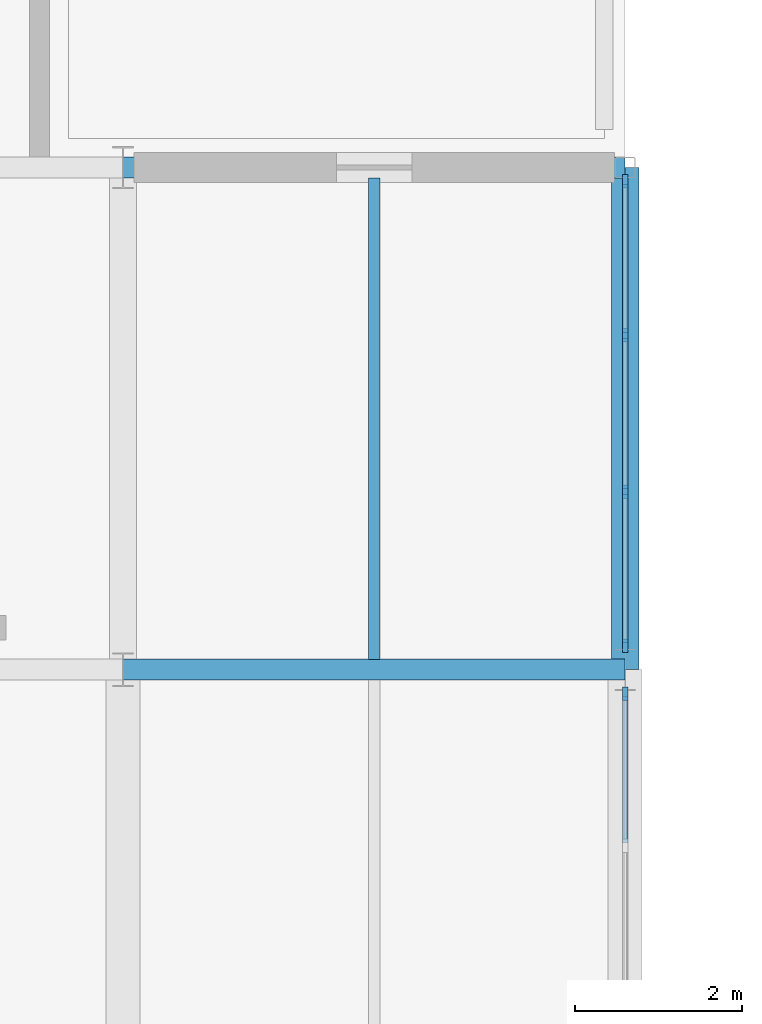
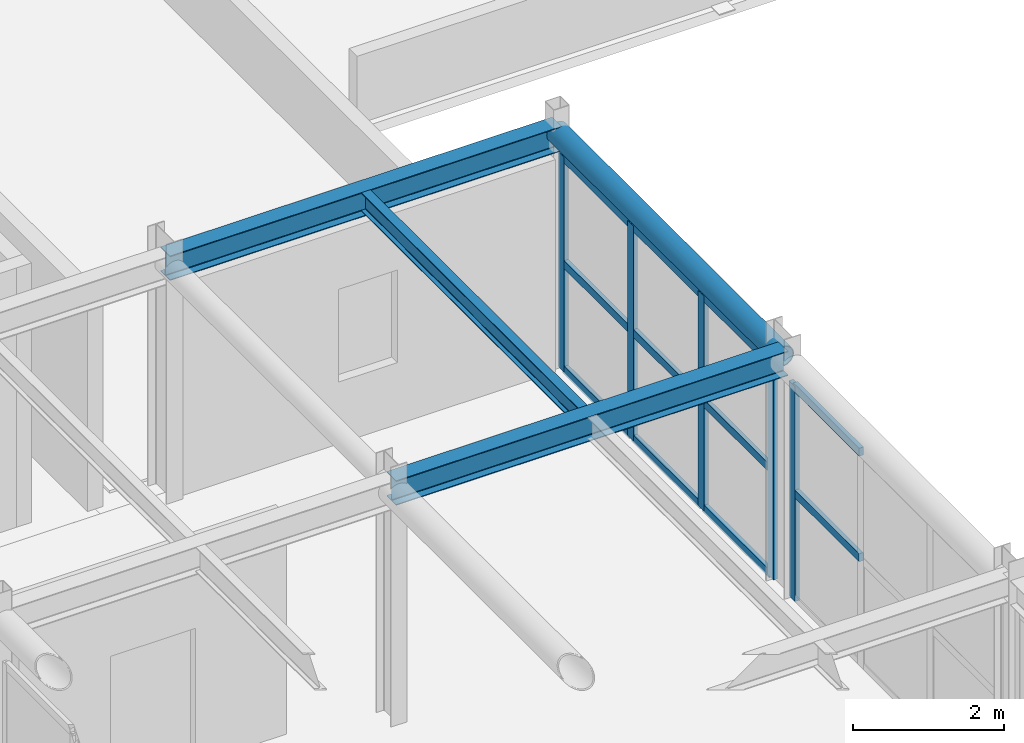
# One storey, part 17 of 83: 16 members, 4 beams, 2 elements without a shape of their own.
"""IFC4 building model written with IfcOpenShell, lengths in metres."""

from ifc_helpers import new_model, si_unit, direction, frame, origin, origin_2d, place, context, subcontext, project, spatial, rectangle, hollow_circle, i_section, extrude, material, material_profile, profile_set, type_object, element, aggregate, save


model = new_model("IFC4")

# Units and contexts
model_context = context("Model", 3, precision=1e-05, world=origin(), true_north=direction((0.0, 1.0)))
body_context = subcontext(model_context, "Body", "Model", "MODEL_VIEW")
ifc_project = project(units=[si_unit("LENGTHUNIT", "METRE"), si_unit("AREAUNIT", "SQUARE_METRE"), si_unit("VOLUMEUNIT", "CUBIC_METRE"), si_unit("PLANEANGLEUNIT", "RADIAN"), si_unit("MASSUNIT", "GRAM", prefix="KILO")], contexts=[model_context])

# Site, building, storey
site_placement = place(None, origin())
site = spatial("IfcSite", under=ifc_project, at=site_placement, CompositionType="ELEMENT")
building_placement = place(site_placement, origin())
building = spatial("IfcBuilding", under=site, at=building_placement, Name="Varnakota Square Police Headquarters", CompositionType="ELEMENT")
storey_placement = place(building_placement, frame((0.0, 0.0, 18.0)))
storey = spatial("IfcBuildingStorey", under=building, at=storey_placement, Name="L04", CompositionType="ELEMENT", Elevation=18.0)

# Beams
ifc_material_1 = material(Name="Steel IS 2062 Grade 350", Category="steel")
ifc_material_profile_1 = material_profile(ifc_material_1, hollow_circle(Radius=0.161865234375, WallThickness=0.0126953125, at=origin_2d()), Name="CHS 323.9x12.7")
ifc_profile_set_1 = profile_set([ifc_material_profile_1], Name="Steel IS 2062 Grade 350")
beam_type_1 = type_object("IfcBeamType", Name="BM-ARC-CHS324", PredefinedType="BEAM", material=ifc_profile_set_1)
beam_1_placement = place(storey_placement, frame((42.0, 57.0, 3.738037109375), z_axis=(0.0, 1.0, 0.0), x_axis=(-1.0, 0.0, 0.0)))
element("IfcBeam", 1, at=beam_1_placement, inside=storey, type_object=beam_type_1, Name="BMG-L04-2975", PredefinedType="BEAM", context=body_context, shape_type="SweptSolid", body=[
    extrude(hollow_circle(Radius=0.161865234375, WallThickness=0.0126953125, at=origin_2d()), origin(), (0.0, 0.0, 1.0), 6.0),
])
ifc_material_profile_2 = material_profile(ifc_material_1, i_section(OverallWidth=0.25, OverallDepth=0.39990234375, WebThickness=0.010498046875, FlangeThickness=0.0126953125, FilletRadius=0.013916015625, at=origin_2d()), Name="ISHB 400")
ifc_profile_set_2 = profile_set([ifc_material_profile_2], Name="Steel IS 2062 Grade 350")
beam_type_2 = type_object("IfcBeamType", Name="BM-ISHB400", PredefinedType="BEAM", material=ifc_profile_set_2)
for number, where, z_axis, x_axis, name in (
    (2, (36.0, 57.0, 3.699951171875), (1.0, 0.0, 0.0), (0.0, 1.0, 0.0), "BMG-L04-2923"),
    (3, (36.0, 63.0, 3.699951171875), (1.0, 0.0, 0.0), (0.0, 1.0, 0.0), "BMG-L04-2929"),
):
    element("IfcBeam", number, at=place(storey_placement, frame(where, z_axis=z_axis, x_axis=x_axis)), inside=storey, type_object=beam_type_2, Name=name, PredefinedType="BEAM", context=body_context, shape_type="SweptSolid", body=[
        extrude(i_section(OverallWidth=0.25, OverallDepth=0.39990234375, WebThickness=0.010498046875, FlangeThickness=0.0126953125, FilletRadius=0.013916015625, at=origin_2d()), origin(), (0.0, 0.0, 1.0), 6.0),
    ])
ifc_material_profile_3 = material_profile(ifc_material_1, i_section(OverallWidth=0.139892578125, OverallDepth=0.300048828125, WebThickness=0.0078125, FlangeThickness=0.01318359375, FilletRadius=0.013916015625, at=origin_2d()), Name="ISMB 300")
ifc_profile_set_3 = profile_set([ifc_material_profile_3], Name="Steel IS 2062 Grade 350")
beam_type_3 = type_object("IfcBeamType", Name="BM-ISMB300", PredefinedType="JOIST", material=ifc_profile_set_3)
beam_2_placement = place(storey_placement, frame((39.0, 57.123046875, 3.75), z_axis=(0.0, 1.0, 0.0), x_axis=(-1.0, 0.0, 0.0)))
element("IfcBeam", 4, at=beam_2_placement, inside=storey, type_object=beam_type_3, Name="BMG-L04-3054", PredefinedType="JOIST", context=body_context, shape_type="SweptSolid", body=[
    extrude(i_section(OverallWidth=0.139892578125, OverallDepth=0.300048828125, WebThickness=0.0078125, FlangeThickness=0.01318359375, FilletRadius=0.013916015625, at=origin_2d()), origin(), (0.0, 0.0, 1.0), 5.75390625),
])

# Curtain wall, member
ifc_material_2 = material(Name="Anodised Aluminium Framing", Category="aluminium")
curtain_wall_type = type_object("IfcCurtainWallType", Name="CW-SYS-D", PredefinedType="NOTDEFINED", material=ifc_material_2)
curtain_wall_1_placement = place(storey_placement, origin())
curtain_wall_1 = element("IfcCurtainWall", 5, at=curtain_wall_1_placement, inside=storey, type_object=curtain_wall_type, Name="Unitised curtain wall CWG-L04-184", PredefinedType="NOTDEFINED")
ifc_material_3 = material(Name="Anodised Aluminium 6063-T6", Category="aluminium")
ifc_material_profile_4 = material_profile(ifc_material_3, rectangle(XDim=0.06494140625, YDim=0.159912109375, at=origin_2d()), Name="ALU MULLION 65x160")
ifc_profile_set_4 = profile_set([ifc_material_profile_4], Name="Anodised Aluminium 6063-T6")
member_type_1 = type_object("IfcMemberType", Name="CWM-150", PredefinedType="MULLION", material=ifc_profile_set_4)
member_1_placement = place(storey_placement, frame((42.0, 56.71240234375, 0.0), z_axis=(0.0, 0.0, 1.0), x_axis=(-1.0, 0.0, 0.0)))
member_1 = element("IfcMember", 6, at=member_1_placement, type_object=member_type_1, Name="CWG-L04-184 mullion 4", PredefinedType="MULLION", context=body_context, shape_type="SweptSolid", body=[
    extrude(rectangle(XDim=0.06494140625, YDim=0.159912109375, at=origin_2d()), origin(), (0.0, 0.0, 1.0), 3.483642578125),
])

# Curtain wall, members
curtain_wall_2_placement = place(storey_placement, origin())
curtain_wall_2 = element("IfcCurtainWall", 7, at=curtain_wall_2_placement, inside=storey, type_object=curtain_wall_type, Name="Unitised curtain wall CWG-L04-185", PredefinedType="NOTDEFINED")
member_2_placement = place(storey_placement, frame((42.0, 57.28759765625, 0.0), z_axis=(0.0, 0.0, 1.0), x_axis=(-1.0, 0.0, 0.0)))
member_2 = element("IfcMember", 8, at=member_2_placement, type_object=member_type_1, Name="CWG-L04-185 mullion 1", PredefinedType="MULLION", context=body_context, shape_type="SweptSolid", body=[
    extrude(rectangle(XDim=0.06494140625, YDim=0.159912109375, at=origin_2d()), origin(), (0.0, 0.0, 1.0), 3.483642578125),
])
member_3_placement = place(storey_placement, frame((42.0, 59.126708984375, 0.0), z_axis=(0.0, 0.0, 1.0), x_axis=(-1.0, 0.0, 0.0)))
member_3 = element("IfcMember", 9, at=member_3_placement, type_object=member_type_1, Name="CWG-L04-185 mullion 2", PredefinedType="MULLION", context=body_context, shape_type="SweptSolid", body=[
    extrude(rectangle(XDim=0.06494140625, YDim=0.159912109375, at=origin_2d()), origin(), (0.0, 0.0, 1.0), 3.483642578125),
])
member_4_placement = place(storey_placement, frame((42.0, 60.998291015625, 0.0), z_axis=(0.0, 0.0, 1.0), x_axis=(-1.0, 0.0, 0.0)))
member_4 = element("IfcMember", 10, at=member_4_placement, type_object=member_type_1, Name="CWG-L04-185 mullion 3", PredefinedType="MULLION", context=body_context, shape_type="SweptSolid", body=[
    extrude(rectangle(XDim=0.06494140625, YDim=0.159912109375, at=origin_2d()), origin(), (0.0, 0.0, 1.0), 3.483642578125),
])
member_5_placement = place(storey_placement, frame((42.0, 62.83740234375, 0.0), z_axis=(0.0, 0.0, 1.0), x_axis=(-1.0, 0.0, 0.0)))
member_5 = element("IfcMember", 11, at=member_5_placement, type_object=member_type_1, Name="CWG-L04-185 mullion 4", PredefinedType="MULLION", context=body_context, shape_type="SweptSolid", body=[
    extrude(rectangle(XDim=0.06494140625, YDim=0.159912109375, at=origin_2d()), origin(), (0.0, 0.0, 1.0), 3.483642578125),
])

# Member
ifc_material_profile_5 = material_profile(ifc_material_3, rectangle(XDim=0.06494140625, YDim=0.1298828125, at=origin_2d()), Name="ALU TRANSOM 65x130")
ifc_profile_set_5 = profile_set([ifc_material_profile_5], Name="Anodised Aluminium 6063-T6")
member_type_2 = type_object("IfcMemberType", Name="CWT-120", PredefinedType="USERDEFINED", material=ifc_profile_set_5)
member_6_placement = place(storey_placement, frame((42.0, 54.930908203125, 1.74169921875), z_axis=(0.0, 1.0, 0.0), x_axis=(-1.0, 0.0, 0.0)))
member_6 = element("IfcMember", 12, at=member_6_placement, type_object=member_type_2, Name="CWG-L04-184 transom 3.2", ObjectType="TRANSOM", PredefinedType="USERDEFINED", context=body_context, shape_type="SweptSolid", body=[
    extrude(rectangle(XDim=0.06494140625, YDim=0.1298828125, at=origin_2d()), origin(), (0.0, 0.0, 1.0), 1.7490234375),
])

member_7_placement = place(storey_placement, frame((42.0, 54.930908203125, 3.451171875), z_axis=(0.0, 1.0, 0.0), x_axis=(-1.0, 0.0, 0.0)))
member_7 = element("IfcMember", 13, at=member_7_placement, type_object=member_type_2, Name="CWG-L04-184 transom 3.3", ObjectType="TRANSOM", PredefinedType="USERDEFINED", context=body_context, shape_type="SweptSolid", body=[
    extrude(rectangle(XDim=0.06494140625, YDim=0.1298828125, at=origin_2d()), origin(), (0.0, 0.0, 1.0), 1.7490234375),
])

aggregate(curtain_wall_1, [member_1, member_6, member_7])

member_8_placement = place(storey_placement, frame((42.0, 57.320068359375, 0.032470703125), z_axis=(0.0, 1.0, 0.0), x_axis=(-1.0, 0.0, 0.0)))
member_8 = element("IfcMember", 14, at=member_8_placement, type_object=member_type_2, Name="CWG-L04-185 transom 1.1", ObjectType="TRANSOM", PredefinedType="USERDEFINED", context=body_context, shape_type="SweptSolid", body=[
    extrude(rectangle(XDim=0.06494140625, YDim=0.1298828125, at=origin_2d()), origin(), (0.0, 0.0, 1.0), 1.774169921875),
])

member_9_placement = place(storey_placement, frame((42.0, 57.320068359375, 1.74169921875), z_axis=(0.0, 1.0, 0.0), x_axis=(-1.0, 0.0, 0.0)))
member_9 = element("IfcMember", 15, at=member_9_placement, type_object=member_type_2, Name="CWG-L04-185 transom 1.2", ObjectType="TRANSOM", PredefinedType="USERDEFINED", context=body_context, shape_type="SweptSolid", body=[
    extrude(rectangle(XDim=0.06494140625, YDim=0.1298828125, at=origin_2d()), origin(), (0.0, 0.0, 1.0), 1.774169921875),
])

member_10_placement = place(storey_placement, frame((42.0, 57.320068359375, 3.451171875), z_axis=(0.0, 1.0, 0.0), x_axis=(-1.0, 0.0, 0.0)))
member_10 = element("IfcMember", 16, at=member_10_placement, type_object=member_type_2, Name="CWG-L04-185 transom 1.3", ObjectType="TRANSOM", PredefinedType="USERDEFINED", context=body_context, shape_type="SweptSolid", body=[
    extrude(rectangle(XDim=0.06494140625, YDim=0.1298828125, at=origin_2d()), origin(), (0.0, 0.0, 1.0), 1.774169921875),
])

member_11_placement = place(storey_placement, frame((42.0, 59.1591796875, 0.032470703125), z_axis=(0.0, 1.0, 0.0), x_axis=(-1.0, 0.0, 0.0)))
member_11 = element("IfcMember", 17, at=member_11_placement, type_object=member_type_2, Name="CWG-L04-185 transom 2.1", ObjectType="TRANSOM", PredefinedType="USERDEFINED", context=body_context, shape_type="SweptSolid", body=[
    extrude(rectangle(XDim=0.06494140625, YDim=0.1298828125, at=origin_2d()), origin(), (0.0, 0.0, 1.0), 1.806640625),
])

member_12_placement = place(storey_placement, frame((42.0, 59.1591796875, 1.74169921875), z_axis=(0.0, 1.0, 0.0), x_axis=(-1.0, 0.0, 0.0)))
member_12 = element("IfcMember", 18, at=member_12_placement, type_object=member_type_2, Name="CWG-L04-185 transom 2.2", ObjectType="TRANSOM", PredefinedType="USERDEFINED", context=body_context, shape_type="SweptSolid", body=[
    extrude(rectangle(XDim=0.06494140625, YDim=0.1298828125, at=origin_2d()), origin(), (0.0, 0.0, 1.0), 1.806640625),
])

member_13_placement = place(storey_placement, frame((42.0, 59.1591796875, 3.451171875), z_axis=(0.0, 1.0, 0.0), x_axis=(-1.0, 0.0, 0.0)))
member_13 = element("IfcMember", 19, at=member_13_placement, type_object=member_type_2, Name="CWG-L04-185 transom 2.3", ObjectType="TRANSOM", PredefinedType="USERDEFINED", context=body_context, shape_type="SweptSolid", body=[
    extrude(rectangle(XDim=0.06494140625, YDim=0.1298828125, at=origin_2d()), origin(), (0.0, 0.0, 1.0), 1.806640625),
])

member_14_placement = place(storey_placement, frame((42.0, 61.03076171875, 0.032470703125), z_axis=(0.0, 1.0, 0.0), x_axis=(-1.0, 0.0, 0.0)))
member_14 = element("IfcMember", 20, at=member_14_placement, type_object=member_type_2, Name="CWG-L04-185 transom 3.1", ObjectType="TRANSOM", PredefinedType="USERDEFINED", context=body_context, shape_type="SweptSolid", body=[
    extrude(rectangle(XDim=0.06494140625, YDim=0.1298828125, at=origin_2d()), origin(), (0.0, 0.0, 1.0), 1.774169921875),
])

member_15_placement = place(storey_placement, frame((42.0, 61.03076171875, 1.74169921875), z_axis=(0.0, 1.0, 0.0), x_axis=(-1.0, 0.0, 0.0)))
member_15 = element("IfcMember", 21, at=member_15_placement, type_object=member_type_2, Name="CWG-L04-185 transom 3.2", ObjectType="TRANSOM", PredefinedType="USERDEFINED", context=body_context, shape_type="SweptSolid", body=[
    extrude(rectangle(XDim=0.06494140625, YDim=0.1298828125, at=origin_2d()), origin(), (0.0, 0.0, 1.0), 1.774169921875),
])

member_16_placement = place(storey_placement, frame((42.0, 61.03076171875, 3.451171875), z_axis=(0.0, 1.0, 0.0), x_axis=(-1.0, 0.0, 0.0)))
member_16 = element("IfcMember", 22, at=member_16_placement, type_object=member_type_2, Name="CWG-L04-185 transom 3.3", ObjectType="TRANSOM", PredefinedType="USERDEFINED", context=body_context, shape_type="SweptSolid", body=[
    extrude(rectangle(XDim=0.06494140625, YDim=0.1298828125, at=origin_2d()), origin(), (0.0, 0.0, 1.0), 1.774169921875),
])

aggregate(curtain_wall_2, [member_2, member_3, member_4, member_5, member_8, member_9, member_10, member_11, member_12, member_13, member_14, member_15, member_16])

save(model, "model.ifc")
